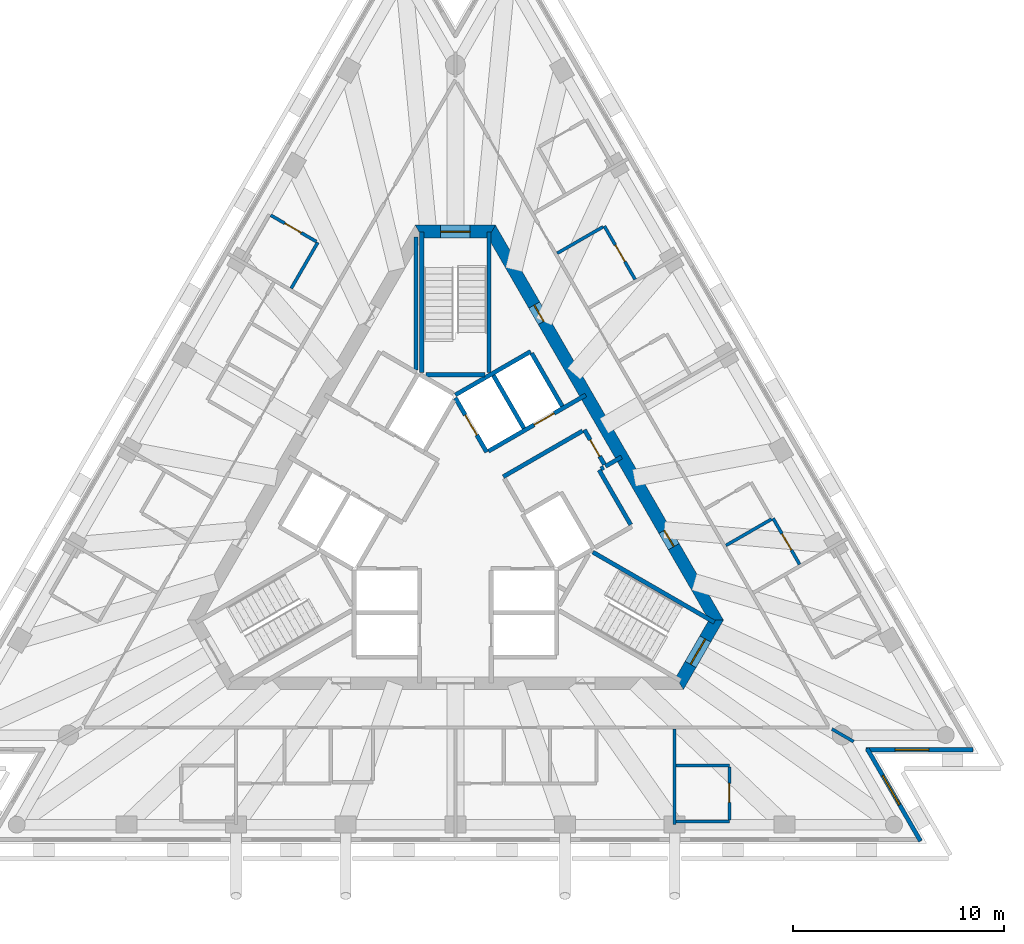
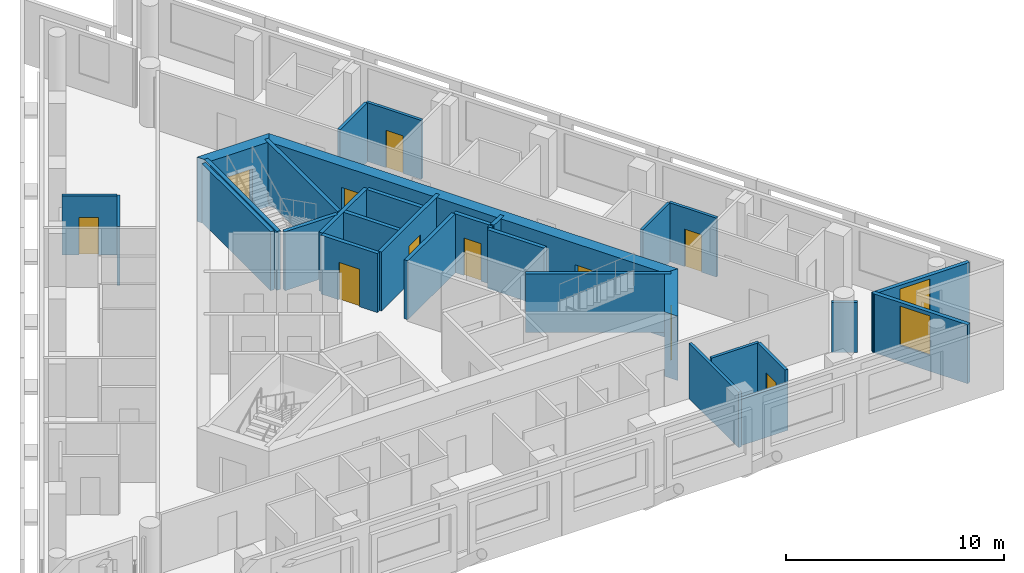
# One storey, part 6 of 10: 31 walls, 11 doors, 2 windows, 13 openings.
"""IFC4 building model written with IfcOpenShell, lengths in metres."""

from ifc_helpers import new_model, si_unit, direction, frame, frame_2d, origin, place, context, subcontext, project, spatial, polyline, rectangle, outline, extrude, material, layer, layer_set, layer_usage, type_object, element, fill, save


model = new_model("IFC4")

# Units and contexts
model_context = context("Model", 3, precision=1e-05, world=origin(), true_north=direction((0.0, 1.0)))
body_context = subcontext(model_context, "Body", "Model", "MODEL_VIEW")
ifc_project = project(units=[si_unit("LENGTHUNIT", "METRE"), si_unit("AREAUNIT", "SQUARE_METRE"), si_unit("VOLUMEUNIT", "CUBIC_METRE"), si_unit("PLANEANGLEUNIT", "RADIAN"), si_unit("MASSUNIT", "GRAM", prefix="KILO")], contexts=[model_context])

# Site, building, storey
site_placement = place(None, origin())
site = spatial("IfcSite", under=ifc_project, at=site_placement, CompositionType="ELEMENT")
building_placement = place(site_placement, origin())
building = spatial("IfcBuilding", under=site, at=building_placement, Name="Triada Interchange Tower", CompositionType="ELEMENT")
storey_placement = place(building_placement, frame((0.0, 0.0, 318.699951171875)))
storey = spatial("IfcBuildingStorey", under=building, at=storey_placement, Name="L76", CompositionType="ELEMENT", Elevation=318.699951171875)

# Wall
ifc_material_1 = material(Name="Concrete C30/37", Category="concrete")
ifc_layer_1 = layer(ifc_material_1, 0.199951171875)
ifc_layer_set_1 = layer_set([ifc_layer_1], Name="CORE WALL 200 EI 120")
wall_type_1 = type_object("IfcWallType", Name="CORE WALL 200 EI 120", PredefinedType="SOLIDWALL", material=ifc_layer_set_1)
wall_1_placement = place(storey_placement, frame((-0.001953125, 5.541015625, 0.0), z_axis=(0.0, 0.0, 1.0), x_axis=(0.86600155993, 0.500041296494, 0.0)))
element("IfcWall", 1, at=wall_1_placement, inside=storey, type_object=wall_type_1, Name="Wall L74 74", PredefinedType="SOLIDWALL", context=body_context, shape_type="SweptSolid", body=[
    extrude(rectangle(XDim=4.131591796875, YDim=0.199951171875, at=frame_2d((2.06591796875, 0.0))), origin(), (0.0, 0.0, 1.0), 3.300048828125),
])

# Wall, opening, door
wall_2_placement = place(storey_placement, frame((0.0, 5.39990234375, 0.0), z_axis=(0.0, 0.0, 1.0), x_axis=(0.500103862429, -0.865965430478, 0.0)))
wall_2 = element("IfcWall", 2, at=wall_2_placement, inside=storey, type_object=wall_type_1, Name="Wall L74 75", PredefinedType="SOLIDWALL", context=body_context, shape_type="SweptSolid", body=[
    extrude(rectangle(XDim=2.973388671875, YDim=0.199951171875, at=frame_2d((1.48681640625, 0.0))), origin(), (0.0, 0.0, 1.0), 3.300048828125),
])
opening_1_placement = place(wall_2_placement, frame((0.93701171875, 0.0, 0.0)))
opening_1 = element("IfcOpeningElement", 3, at=opening_1_placement, cuts=wall_2, Name="Opening LD-HR5", PredefinedType="OPENING", context=body_context, shape_type="SweptSolid", body=[
    extrude(rectangle(XDim=1.10009765625, YDim=2.10009765625, at=frame_2d((0.550048828125, 1.050048828125))), frame((0.0, 0.10986328125, 0.0), z_axis=(0.0, -1.0, 0.0), x_axis=(1.0, 0.0, 0.0)), (0.0, 0.0, 1.0), 0.219970703125),
])
ifc_material_2 = material(Name="Steel S235 door leaf", Category="steel")
door_type_1 = type_object("IfcDoorType", Name="LIFT LANDING DOOR 1100 EI 120", OperationType="SLIDING_TO_LEFT", PredefinedType="DOOR", material=ifc_material_2)
door_1_placement = place(opening_1_placement, origin())
door_1 = element("IfcDoor", 4, at=door_1_placement, inside=storey, type_object=door_type_1, Name="HR5 landing door L76", OperationType="SLIDING_TO_LEFT", OverallHeight=2.10009765625, OverallWidth=1.10009765625, PredefinedType="DOOR", context=body_context, shape_type="SweptSolid", body=[
    extrude(rectangle(XDim=1.10009765625, YDim=2.10009765625, at=frame_2d((0.550048828125, 1.050048828125))), frame((0.0, 0.02490234375, 0.0), z_axis=(0.0, -1.0, 0.0), x_axis=(1.0, 0.0, 0.0)), (0.0, 0.0, 1.0), 0.050048828125),
])
fill(opening_1, door_1)

wall_3_placement = place(storey_placement, frame((1.577880859375, 2.8740234375, 0.0), z_axis=(0.0, 0.0, 1.0), x_axis=(0.866045911672, 0.499964477614, 0.0)))
wall_3 = element("IfcWall", 5, at=wall_3_placement, inside=storey, type_object=wall_type_1, Name="Wall L74 77", PredefinedType="SOLIDWALL", context=body_context, shape_type="SweptSolid", body=[
    extrude(rectangle(XDim=5.32666015625, YDim=0.199951171875, at=frame_2d((2.663330078125, 0.0))), origin(), (0.0, 0.0, 1.0), 3.300048828125),
])
opening_2_placement = place(wall_3_placement, frame((2.49609375, 0.0, 0.0)))
opening_2 = element("IfcOpeningElement", 6, at=opening_2_placement, cuts=wall_3, Name="Opening LD-HR6", PredefinedType="OPENING", context=body_context, shape_type="SweptSolid", body=[
    extrude(rectangle(XDim=1.10009765625, YDim=2.10009765625, at=frame_2d((0.550048828125, 1.050048828125))), frame((0.0, 0.10986328125, 0.0), z_axis=(0.0, -1.0, 0.0), x_axis=(1.0, 0.0, 0.0)), (0.0, 0.0, 1.0), 0.219970703125),
])
door_2_placement = place(opening_2_placement, origin())
door_2 = element("IfcDoor", 7, at=door_2_placement, inside=storey, type_object=door_type_1, Name="HR6 landing door L76", OperationType="SLIDING_TO_LEFT", OverallHeight=2.10009765625, OverallWidth=1.10009765625, PredefinedType="DOOR", context=body_context, shape_type="SweptSolid", body=[
    extrude(rectangle(XDim=1.10009765625, YDim=2.10009765625, at=frame_2d((0.550048828125, 1.050048828125))), frame((0.0, 0.02490234375, 0.0), z_axis=(0.0, -1.0, 0.0), x_axis=(1.0, 0.0, 0.0)), (0.0, 0.0, 1.0), 0.050048828125),
])
fill(opening_2, door_2)

# Walls
for number, where, z_axis, x_axis, name in (
    (8, (3.6259765625, 7.52001953125, 0.0), (0.0, 0.0, 1.0), (0.500060147554, -0.865990674793, 0.0), "Wall L74 80"),
    (9, (1.806884765625, 6.469970703125, 0.0), (0.0, 0.0, 1.0), (0.50012328804, -0.865954211699, 0.0), "Wall L74 81"),
):
    element("IfcWall", number, at=place(storey_placement, frame(where, z_axis=z_axis, x_axis=x_axis)), inside=storey, type_object=wall_type_1, Name=name, PredefinedType="SOLIDWALL", context=body_context, shape_type="SweptSolid", body=[
        extrude(rectangle(XDim=2.899658203125, YDim=0.199951171875, at=frame_2d((1.44970703125, 0.0))), origin(), (0.0, 0.0, 1.0), 3.300048828125),
    ])
wall_4_placement = place(storey_placement, frame((7.12890625, 2.153076171875, 0.0), z_axis=(0.0, 0.0, 1.0), x_axis=(0.866083962871, 0.499898558967, 0.0)))
element("IfcWall", 10, at=wall_4_placement, inside=storey, type_object=wall_type_1, Name="Wall L74 84", PredefinedType="SOLIDWALL", context=body_context, shape_type="SweptSolid", body=[
    extrude(rectangle(XDim=0.880126953125, YDim=0.199951171875, at=frame_2d((0.43994140625, 0.0))), origin(), (0.0, 0.0, 1.0), 3.300048828125),
])

# Wall, opening, door
wall_5_placement = place(storey_placement, frame((6.12890625, 3.885009765625, 0.0), z_axis=(0.0, 0.0, 1.0), x_axis=(0.499952260202, -0.866052964615, 0.0)))
wall_5 = element("IfcWall", 11, at=wall_5_placement, inside=storey, type_object=wall_type_1, Name="Wall L74 85", PredefinedType="SOLIDWALL", context=body_context, shape_type="SweptSolid", body=[
    extrude(rectangle(XDim=1.900634765625, YDim=0.199951171875, at=frame_2d((0.9501953125, 0.0))), origin(), (0.0, 0.0, 1.0), 3.300048828125),
])
opening_3_placement = place(wall_5_placement, frame((0.550048828125, 0.0, 0.0)))
opening_3 = element("IfcOpeningElement", 12, at=opening_3_placement, cuts=wall_5, Name="Opening D74-56", PredefinedType="OPENING", context=body_context, shape_type="SweptSolid", body=[
    extrude(rectangle(XDim=0.89990234375, YDim=2.10009765625, at=frame_2d((0.449951171875, 1.050048828125))), frame((0.0, 0.10986328125, 0.0), z_axis=(0.0, -1.0, 0.0), x_axis=(1.0, 0.0, 0.0)), (0.0, 0.0, 1.0), 0.219970703125),
])
door_type_2 = type_object("IfcDoorType", Name="SERVICE DOOR 900 EI2 45-C5S200", OperationType="NOTDEFINED", PredefinedType="DOOR", material=ifc_material_2)
door_3_placement = place(opening_3_placement, origin())
door_3 = element("IfcDoor", 13, at=door_3_placement, inside=storey, type_object=door_type_2, Name="Door D74-56 L76", OperationType="SINGLE_SWING_LEFT", OverallHeight=2.10009765625, OverallWidth=0.89990234375, PredefinedType="DOOR", context=body_context, shape_type="SweptSolid", body=[
    extrude(rectangle(XDim=0.89990234375, YDim=2.10009765625, at=frame_2d((0.449951171875, 1.050048828125))), frame((0.0, 0.02490234375, 0.0), z_axis=(0.0, -1.0, 0.0), x_axis=(1.0, 0.0, 0.0)), (0.0, 0.0, 1.0), 0.050048828125),
])
fill(opening_3, door_3)

# Walls
wall_6_placement = place(storey_placement, frame((2.27490234375, 1.659912109375, 0.0), z_axis=(0.0, 0.0, 1.0), x_axis=(0.866013608182, 0.500020430026, 0.0)))
element("IfcWall", 14, at=wall_6_placement, inside=storey, type_object=wall_type_1, Name="Wall L74 86", PredefinedType="SOLIDWALL", context=body_context, shape_type="SweptSolid", body=[
    extrude(rectangle(XDim=4.349853515625, YDim=0.199951171875, at=frame_2d((2.1748046875, 0.0))), origin(), (0.0, 0.0, 1.0), 3.300048828125),
])
ifc_layer_2 = layer(ifc_material_1, 0.199951171875)
ifc_layer_set_2 = layer_set([ifc_layer_2], Name="CORE WALL 200 EI 90")
wall_type_2 = type_object("IfcWallType", Name="CORE WALL 200 EI 90", PredefinedType="SOLIDWALL", material=ifc_layer_set_2)
wall_7_placement = place(storey_placement, frame((-1.862060546875, 6.73291015625, 0.0), z_axis=(0.0, 0.0, 1.0), x_axis=(0.0, 1.0, 0.0)))
element("IfcWall", 15, at=wall_7_placement, inside=storey, type_object=wall_type_2, Name="Wall L74 105", PredefinedType="SOLIDWALL", context=body_context, shape_type="SweptSolid", body=[
    extrude(rectangle(XDim=6.301025390625, YDim=0.199951171875, at=frame_2d((3.150390625, 0.0))), origin(), (0.0, 0.0, 1.0), 3.300048828125),
])
wall_8_placement = place(storey_placement, frame((6.825927734375, 1.97802734375, 0.0), z_axis=(0.0, 0.0, 1.0), x_axis=(0.499990139034, -0.866031096941, 0.0)))
element("IfcWall", 16, at=wall_8_placement, inside=storey, type_object=wall_type_2, Name="Wall L74 108", PredefinedType="SOLIDWALL", context=body_context, shape_type="SweptSolid", body=[
    extrude(rectangle(XDim=3.0, YDim=0.199951171875, at=frame_2d((1.5, 0.0))), origin(), (0.0, 0.0, 1.0), 3.300048828125),
])
wall_9_placement = place(storey_placement, frame((6.912109375, 2.028076171875, 0.0), z_axis=(0.0, 0.0, 1.0), x_axis=(0.866559367082, 0.499074005857, 0.0)))
element("IfcWall", 17, at=wall_9_placement, inside=storey, type_object=wall_type_2, Name="Wall L74 109", PredefinedType="SOLIDWALL", context=body_context, shape_type="SweptSolid", body=[
    extrude(rectangle(XDim=0.152099609375, YDim=0.199951171875, at=frame_2d((0.076171875, 0.0))), origin(), (0.0, 0.0, 1.0), 3.300048828125),
])
ifc_layer_3 = layer(ifc_material_1, 0.199951171875)
ifc_layer_set_3 = layer_set([ifc_layer_3], Name="CORE WALL 200 REI 240")
wall_type_3 = type_object("IfcWallType", Name="CORE WALL 200 REI 240", PredefinedType="SOLIDWALL", material=ifc_layer_set_3)
wall_10_placement = place(storey_placement, frame((1.60009765625, 6.614990234375, 0.0), z_axis=(0.0, 0.0, 1.0), x_axis=(0.0, 1.0, 0.0)))
element("IfcWall", 18, at=wall_10_placement, inside=storey, type_object=wall_type_3, Name="Wall L74 113", PredefinedType="SOLIDWALL", context=body_context, shape_type="SweptSolid", body=[
    extrude(rectangle(XDim=6.6650390625, YDim=0.199951171875, at=frame_2d((3.33251953125, 0.0))), origin(), (0.0, 0.0, 1.0), 3.300048828125),
])
wall_11_placement = place(storey_placement, frame((-1.39990234375, 6.5, 0.0), z_axis=(0.0, 0.0, 1.0), x_axis=(1.0, 0.0, 0.0)))
element("IfcWall", 19, at=wall_11_placement, inside=storey, type_object=wall_type_3, Name="Wall L74 114", PredefinedType="SOLIDWALL", context=body_context, shape_type="SweptSolid", body=[
    extrude(rectangle(XDim=2.7998046875, YDim=0.199951171875, at=frame_2d((1.39990234375, 0.0))), origin(), (0.0, 0.0, 1.0), 3.300048828125),
])
wall_12_placement = place(storey_placement, frame((-1.60009765625, 6.614990234375, 0.0), z_axis=(0.0, 0.0, 1.0), x_axis=(0.0, 1.0, 0.0)))
element("IfcWall", 20, at=wall_12_placement, inside=storey, type_object=wall_type_3, Name="Wall L74 115", PredefinedType="SOLIDWALL", context=body_context, shape_type="SweptSolid", body=[
    extrude(rectangle(XDim=6.6650390625, YDim=0.199951171875, at=frame_2d((3.33251953125, 0.0))), origin(), (0.0, 0.0, 1.0), 3.300048828125),
])
wall_13_placement = place(storey_placement, frame((6.529052734375, -1.922119140625, 0.0), z_axis=(0.0, 0.0, 1.0), x_axis=(0.866068467981, -0.499925403204, 0.0)))
element("IfcWall", 21, at=wall_13_placement, inside=storey, type_object=wall_type_3, Name="Wall L74 117", PredefinedType="SOLIDWALL", context=body_context, shape_type="SweptSolid", body=[
    extrude(rectangle(XDim=6.66455078125, YDim=0.199951171875, at=frame_2d((3.332275390625, 0.0))), origin(), (0.0, 0.0, 1.0), 3.300048828125),
])

# Wall, opening, door
ifc_material_3 = material(Name="Concrete C40/50", Category="concrete")
ifc_layer_4 = layer(ifc_material_3, 0.60009765625)
ifc_layer_set_4 = layer_set([ifc_layer_4], Name="Core wall D 600")
wall_type_4 = type_object("IfcWallType", Name="Core wall D 600", PredefinedType="SHEAR", material=ifc_layer_set_4)
wall_14_placement = place(storey_placement, frame((1.73193359375, 13.300048828125, -0.300048828125), z_axis=(0.0, 0.0, 1.0), x_axis=(-1.0, 0.0, 0.0)))
wall_14 = element("IfcWall", 22, at=wall_14_placement, inside=storey, type_object=wall_type_4, Name="Core wall WD01 L76", PredefinedType="SHEAR", context=body_context, shape_type="SweptSolid", body=[
    extrude(outline(polyline([(-0.173095703125, -0.300048828125), (1.73193359375, -0.300048828125), (3.636962890625, -0.300048828125), (3.291015625, 0.300048828125), (1.73193359375, 0.300048828125), (0.173095703125, 0.300048828125), (-0.173095703125, -0.300048828125)])), origin(), (0.0, 0.0, 1.0), 3.60009765625),
])
opening_4_placement = place(wall_14_placement, frame((1.031982421875, 0.0, 0.300048828125)))
opening_4 = element("IfcOpeningElement", 23, at=opening_4_placement, cuts=wall_14, Name="Opening D74-46", PredefinedType="OPENING", context=body_context, shape_type="SweptSolid", body=[
    extrude(rectangle(XDim=1.39990234375, YDim=2.10009765625, at=frame_2d((0.699951171875, 1.050048828125))), frame((0.0, 0.31005859375, 0.0), z_axis=(0.0, -1.0, 0.0), x_axis=(1.0, 0.0, 0.0)), (0.0, 0.0, 1.0), 0.6201171875),
])
door_type_3 = type_object("IfcDoorType", Name="STAIR DOOR 1400 EI2 90-C5S200", OperationType="DOUBLE_DOOR_SINGLE_SWING", PredefinedType="DOOR", material=ifc_material_2)
door_4_placement = place(opening_4_placement, origin())
door_4 = element("IfcDoor", 24, at=door_4_placement, inside=storey, type_object=door_type_3, Name="Door D74-46 L76", OperationType="DOUBLE_DOOR_SINGLE_SWING", OverallHeight=2.10009765625, OverallWidth=1.39990234375, PredefinedType="DOOR", context=body_context, shape_type="SweptSolid", body=[
    extrude(rectangle(XDim=1.39990234375, YDim=2.10009765625, at=frame_2d((0.699951171875, 1.050048828125))), frame((0.0, 0.02490234375, 0.0), z_axis=(0.0, -1.0, 0.0), x_axis=(1.0, 0.0, 0.0)), (0.0, 0.0, 1.0), 0.050048828125),
])
fill(opening_4, door_4)

wall_15_placement = place(storey_placement, frame((10.652099609375, -8.14990234375, -0.300048828125), z_axis=(0.0, 0.0, 1.0), x_axis=(0.49997462182, 0.866040055388, 0.0)))
wall_15 = element("IfcWall", 25, at=wall_15_placement, inside=storey, type_object=wall_type_4, Name="Core wall WD05 L76", PredefinedType="SHEAR", context=body_context, shape_type="SweptSolid", body=[
    extrude(outline(polyline([(-0.173095703125, -0.300048828125), (1.732421875, -0.300537109375), (3.637939453125, -0.301025390625), (3.291015625, 0.300048828125), (1.73193359375, 0.300048828125), (0.173095703125, 0.300048828125), (-0.173095703125, -0.300048828125)])), origin(), (0.0, 0.0, 1.0), 3.60009765625),
])
opening_5_placement = place(wall_15_placement, frame((1.031982421875, 0.0, 0.300048828125)))
opening_5 = element("IfcOpeningElement", 26, at=opening_5_placement, cuts=wall_15, Name="Opening D74-48", PredefinedType="OPENING", context=body_context, shape_type="SweptSolid", body=[
    extrude(rectangle(XDim=1.39990234375, YDim=2.10009765625, at=frame_2d((0.699951171875, 1.050048828125))), frame((0.0, 0.31005859375, 0.0), z_axis=(0.0, -1.0, 0.0), x_axis=(1.0, 0.0, 0.0)), (0.0, 0.0, 1.0), 0.62109375),
])
door_5_placement = place(opening_5_placement, origin())
door_5 = element("IfcDoor", 27, at=door_5_placement, inside=storey, type_object=door_type_3, Name="Door D74-48 L76", OperationType="DOUBLE_DOOR_SINGLE_SWING", OverallHeight=2.10009765625, OverallWidth=1.39990234375, PredefinedType="DOOR", context=body_context, shape_type="SweptSolid", body=[
    extrude(rectangle(XDim=1.39990234375, YDim=2.10009765625, at=frame_2d((0.699951171875, 1.050048828125))), frame((0.0, 0.02490234375, 0.0), z_axis=(0.0, -1.0, 0.0), x_axis=(1.0, 0.0, 0.0)), (0.0, 0.0, 1.0), 0.050048828125),
])
fill(opening_5, door_5)

# Wall, openings, doors
wall_16_placement = place(storey_placement, frame((12.384033203125, -5.14990234375, -0.300048828125), z_axis=(0.0, 0.0, 1.0), x_axis=(-0.500000539815, 0.866025092122, 0.0)))
wall_16 = element("IfcWall", 28, at=wall_16_placement, inside=storey, type_object=wall_type_4, Name="Core wall WD06 L76", PredefinedType="SHEAR", context=body_context, shape_type="SweptSolid", body=[
    extrude(outline(polyline([(-0.173095703125, -0.301025390625), (1.795166015625, -0.301025390625), (3.76318359375, -0.30078125), (5.7314453125, -0.30078125), (7.69970703125, -0.30078125), (9.66796875, -0.300537109375), (11.635986328125, -0.300537109375), (13.604248046875, -0.30029296875), (15.572509765625, -0.30029296875), (17.540771484375, -0.30029296875), (19.5087890625, -0.300048828125), (21.47705078125, -0.300048828125), (21.131103515625, 0.300048828125), (19.225830078125, 0.300048828125), (17.320556640625, 0.300048828125), (15.415283203125, 0.300048828125), (13.510009765625, 0.300048828125), (11.604736328125, 0.300048828125), (9.699462890625, 0.300048828125), (7.794189453125, 0.300048828125), (5.888916015625, 0.300048828125), (3.983642578125, 0.300048828125), (2.078369140625, 0.300048828125), (0.173095703125, 0.300048828125), (-0.173095703125, -0.301025390625)])), origin(), (0.0, 0.0, 1.0), 3.60009765625),
])
opening_6_placement = place(wall_16_placement, frame((16.3779296875, 0.0, 0.300048828125)))
opening_6 = element("IfcOpeningElement", 29, at=opening_6_placement, cuts=wall_16, Name="Opening D74-53", PredefinedType="OPENING", context=body_context, shape_type="SweptSolid", body=[
    extrude(rectangle(XDim=0.89990234375, YDim=2.10009765625, at=frame_2d((0.449951171875, 1.050048828125))), frame((0.0, 0.31005859375, 0.0), z_axis=(0.0, -1.0, 0.0), x_axis=(1.0, 0.0, 0.0)), (0.0, 0.0, 1.0), 0.62109375),
])
opening_7_placement = place(wall_16_placement, frame((4.02587890625, 0.0, 0.300048828125)))
opening_7 = element("IfcOpeningElement", 30, at=opening_7_placement, cuts=wall_16, Name="Opening D74-55", PredefinedType="OPENING", context=body_context, shape_type="SweptSolid", body=[
    extrude(rectangle(XDim=0.89990234375, YDim=2.10009765625, at=frame_2d((0.449951171875, 1.050048828125))), frame((0.0, 0.31005859375, 0.0), z_axis=(0.0, -1.0, 0.0), x_axis=(1.0, 0.0, 0.0)), (0.0, 0.0, 1.0), 0.62109375),
])
door_6_placement = place(opening_6_placement, origin())
door_6 = element("IfcDoor", 31, at=door_6_placement, inside=storey, type_object=door_type_2, Name="Door D74-53 L76", OperationType="SINGLE_SWING_RIGHT", OverallHeight=2.10009765625, OverallWidth=0.89990234375, PredefinedType="DOOR", context=body_context, shape_type="SweptSolid", body=[
    extrude(rectangle(XDim=0.89990234375, YDim=2.10009765625, at=frame_2d((0.449951171875, 1.050048828125))), frame((0.0, 0.02490234375, 0.0), z_axis=(0.0, -1.0, 0.0), x_axis=(1.0, 0.0, 0.0)), (0.0, 0.0, 1.0), 0.050048828125),
])
fill(opening_6, door_6)
door_7_placement = place(opening_7_placement, origin())
door_7 = element("IfcDoor", 32, at=door_7_placement, inside=storey, type_object=door_type_2, Name="Door D74-55 L76", OperationType="SINGLE_SWING_RIGHT", OverallHeight=2.10009765625, OverallWidth=0.89990234375, PredefinedType="DOOR", context=body_context, shape_type="SweptSolid", body=[
    extrude(rectangle(XDim=0.89990234375, YDim=2.10009765625, at=frame_2d((0.449951171875, 1.050048828125))), frame((0.0, 0.02490234375, 0.0), z_axis=(0.0, -1.0, 0.0), x_axis=(1.0, 0.0, 0.0)), (0.0, 0.0, 1.0), 0.050048828125),
])
fill(opening_7, door_7)

# Wall, opening, window
ifc_material_4 = material(Name="Cement board")
ifc_layer_5 = layer(ifc_material_4, 0.02001953125, Name="Cement board cladding")
ifc_material_5 = material(Name="Sheathing board")
ifc_layer_6 = layer(ifc_material_5, 0.014892578125, Name="Sheathing board")
ifc_material_6 = material(Name="Mineral wool")
ifc_layer_7 = layer(ifc_material_6, 0.14990234375, Name="Mineral wool between steel studs")
ifc_material_7 = material(Name="Gypsum board")
ifc_layer_8 = layer(ifc_material_7, 0.014892578125, Name="Plasterboard lining")
ifc_layer_set_5 = layer_set([ifc_layer_5, ifc_layer_6, ifc_layer_7, ifc_layer_8], Name="External wall 200")
ifc_layer_usage = layer_usage(ifc_layer_set_5, "AXIS2", "POSITIVE", -0.10009765625)
wall_type_5 = type_object("IfcWallType", Name="External wall 200", PredefinedType="ELEMENTEDWALL", material=ifc_layer_set_5)
wall_17_placement = place(storey_placement, frame((22.0869140625, -15.64111328125, 0.0), z_axis=(0.0, 0.0, 1.0), x_axis=(-0.499911250765, 0.866076637116, 0.0)))
wall_17 = element("IfcWall", 33, at=wall_17_placement, inside=storey, type_object=wall_type_5, material=ifc_layer_usage, Name="External wall L76 SE-1", PredefinedType="ELEMENTEDWALL", context=body_context, shape_type="SweptSolid", body=[
    extrude(rectangle(XDim=5.07470703125, YDim=0.199951171875, at=frame_2d((2.537353515625, 0.0))), origin(), (0.0, 0.0, 1.0), 3.300048828125),
])
opening_8_placement = place(wall_17_placement, frame((1.989990234375, 0.0, 0.89990234375)))
opening_8 = element("IfcOpeningElement", 34, at=opening_8_placement, cuts=wall_17, Name="Opening WD19", PredefinedType="OPENING", context=body_context, shape_type="SweptSolid", body=[
    extrude(rectangle(XDim=1.60009765625, YDim=2.199951171875, at=frame_2d((0.800048828125, 1.10009765625))), frame((0.0, 0.10986328125, 0.0), z_axis=(0.0, -1.0, 0.0), x_axis=(1.0, 0.0, 0.0)), (0.0, 0.0, 1.0), 0.219970703125),
])
ifc_material_8 = material(Name="Double glazed aluminium window", Category="aluminium")
window_type = type_object("IfcWindowType", Name="Ribbon window D pocket", PartitioningType="SINGLE_PANEL", PredefinedType="WINDOW", material=ifc_material_8)
window_1_placement = place(opening_8_placement, origin())
window_1 = element("IfcWindow", 35, at=window_1_placement, inside=storey, type_object=window_type, Name="Window L76 SE-1 1", OverallHeight=2.199951171875, OverallWidth=1.60009765625, PartitioningType="SINGLE_PANEL", PredefinedType="WINDOW", context=body_context, shape_type="SweptSolid", body=[
    extrude(rectangle(XDim=1.60009765625, YDim=2.199951171875, at=frame_2d((0.800048828125, 1.10009765625))), frame((0.0, 0.030029296875, 0.0), z_axis=(0.0, -1.0, 0.0), x_axis=(1.0, 0.0, 0.0)), (0.0, 0.0, 1.0), 0.06005859375),
])
fill(opening_8, window_1)

wall_18_placement = place(storey_placement, frame((19.4951171875, -11.306884765625, 0.0), z_axis=(0.0, 0.0, 1.0), x_axis=(1.0, 0.0, 0.0)))
wall_18 = element("IfcWall", 36, at=wall_18_placement, inside=storey, type_object=wall_type_5, material=ifc_layer_usage, Name="External wall L76 SE-2", PredefinedType="ELEMENTEDWALL", context=body_context, shape_type="SweptSolid", body=[
    extrude(rectangle(XDim=5.073974609375, YDim=0.199951171875, at=frame_2d((2.537109375, 0.0))), origin(), (0.0, 0.0, 1.0), 3.300048828125),
])
opening_9_placement = place(wall_18_placement, frame((1.389892578125, 0.0, 0.89990234375)))
opening_9 = element("IfcOpeningElement", 37, at=opening_9_placement, cuts=wall_18, Name="Opening WD20", PredefinedType="OPENING", context=body_context, shape_type="SweptSolid", body=[
    extrude(rectangle(XDim=1.60009765625, YDim=2.199951171875, at=frame_2d((0.800048828125, 1.10009765625))), frame((0.0, 0.10986328125, 0.0), z_axis=(0.0, -1.0, 0.0), x_axis=(1.0, 0.0, 0.0)), (0.0, 0.0, 1.0), 0.219970703125),
])
window_2_placement = place(opening_9_placement, origin())
window_2 = element("IfcWindow", 38, at=window_2_placement, inside=storey, type_object=window_type, Name="Window L76 SE-2 1", OverallHeight=2.199951171875, OverallWidth=1.60009765625, PartitioningType="SINGLE_PANEL", PredefinedType="WINDOW", context=body_context, shape_type="SweptSolid", body=[
    extrude(rectangle(XDim=1.60009765625, YDim=2.199951171875, at=frame_2d((0.800048828125, 1.10009765625))), frame((0.0, 0.030029296875, 0.0), z_axis=(0.0, -1.0, 0.0), x_axis=(1.0, 0.0, 0.0)), (0.0, 0.0, 1.0), 0.06005859375),
])
fill(opening_9, window_2)

# Walls
ifc_material_9 = material(Name="Gypsum board partition")
ifc_layer_9 = layer(ifc_material_9, 0.14990234375)
ifc_layer_set_6 = layer_set([ifc_layer_9], Name="PARTITION 150 EI 180")
wall_type_6 = type_object("IfcWallType", Name="PARTITION 150 EI 180", PredefinedType="PARTITIONING", material=ifc_layer_set_6)
wall_19_placement = place(storey_placement, frame((10.4140625, -14.85791015625, 0.0), z_axis=(0.0, 0.0, 1.0), x_axis=(0.0, 1.0, 0.0)))
element("IfcWall", 39, at=wall_19_placement, inside=storey, type_object=wall_type_6, Name="Wall L74 28", PredefinedType="PARTITIONING", context=body_context, shape_type="SweptSolid", body=[
    extrude(rectangle(XDim=4.532958984375, YDim=0.14990234375, at=frame_2d((2.2666015625, 0.0))), origin(), (0.0, 0.0, 1.0), 3.10009765625),
])
wall_20_placement = place(storey_placement, frame((17.883056640625, -10.323974609375, 0.0), z_axis=(0.0, 0.0, 1.0), x_axis=(0.865759938798, -0.500459517216, 0.0)))
element("IfcWall", 40, at=wall_20_placement, inside=storey, type_object=wall_type_6, Name="Wall L74 30", PredefinedType="PARTITIONING", context=body_context, shape_type="SweptSolid", body=[
    extrude(rectangle(XDim=1.18505859375, YDim=0.14990234375, at=frame_2d((0.592529296875, 0.0))), origin(), (0.0, 0.0, 1.0), 2.800048828125),
])
ifc_layer_10 = layer(ifc_material_9, 0.14990234375)
ifc_layer_set_7 = layer_set([ifc_layer_10], Name="PARTITION 150 EI 90")
wall_type_7 = type_object("IfcWallType", Name="PARTITION 150 EI 90", PredefinedType="PARTITIONING", material=ifc_layer_set_7)
wall_21_placement = place(storey_placement, frame((-7.794921875, 10.60009765625, 0.0), z_axis=(0.0, 0.0, 1.0), x_axis=(0.50028887667, 0.865858556509, 0.0)))
element("IfcWall", 41, at=wall_21_placement, inside=storey, type_object=wall_type_7, Name="Wall L74 35", PredefinedType="PARTITIONING", context=body_context, shape_type="SweptSolid", body=[
    extrude(rectangle(XDim=2.5244140625, YDim=0.14990234375, at=frame_2d((1.26220703125, 0.0))), origin(), (0.0, 0.0, 1.0), 3.300048828125),
])
wall_22_placement = place(storey_placement, frame((10.489013671875, -12.050048828125, 0.0), z_axis=(0.0, 0.0, 1.0), x_axis=(1.0, 0.0, 0.0)))
element("IfcWall", 42, at=wall_22_placement, inside=storey, type_object=wall_type_7, Name="Wall L74 40", PredefinedType="PARTITIONING", context=body_context, shape_type="SweptSolid", body=[
    extrude(rectangle(XDim=2.52490234375, YDim=0.14990234375, at=frame_2d((1.262451171875, 0.0))), origin(), (0.0, 0.0, 1.0), 3.300048828125),
])
wall_23_placement = place(storey_placement, frame((10.489013671875, -14.7060546875, 0.0), z_axis=(0.0, 0.0, 1.0), x_axis=(1.0, 0.0, 0.0)))
element("IfcWall", 43, at=wall_23_placement, inside=storey, type_object=wall_type_7, Name="Wall L74 43", PredefinedType="PARTITIONING", context=body_context, shape_type="SweptSolid", body=[
    extrude(rectangle(XDim=2.52490234375, YDim=0.14990234375, at=frame_2d((1.262451171875, 0.0))), origin(), (0.0, 0.0, 1.0), 2.60009765625),
])

# Wall, opening, door
wall_24_placement = place(storey_placement, frame((-8.76806640625, 14.076904296875, 0.0), z_axis=(0.0, 0.0, 1.0), x_axis=(0.866125586781, -0.4998264378, 0.0)))
wall_24 = element("IfcWall", 44, at=wall_24_placement, inside=storey, type_object=wall_type_7, Name="Wall L74 46", PredefinedType="PARTITIONING", context=body_context, shape_type="SweptSolid", body=[
    extrude(rectangle(XDim=2.5068359375, YDim=0.14990234375, at=frame_2d((1.25341796875, 0.0))), origin(), (0.0, 0.0, 1.0), 3.300048828125),
])
opening_10_placement = place(wall_24_placement, frame((0.77490234375, 0.0, 0.0)))
opening_10 = element("IfcOpeningElement", 45, at=opening_10_placement, cuts=wall_24, Name="Opening D74-36", PredefinedType="OPENING", context=body_context, shape_type="SweptSolid", body=[
    extrude(rectangle(XDim=0.89990234375, YDim=2.10009765625, at=frame_2d((0.449951171875, 1.050048828125))), frame((0.0, 0.0849609375, 0.0), z_axis=(0.0, -1.0, 0.0), x_axis=(1.0, 0.0, 0.0)), (0.0, 0.0, 1.0), 0.169921875),
])
door_type_4 = type_object("IfcDoorType", Name="ROOM DOOR 900 EI2 45-C5S200", OperationType="NOTDEFINED", PredefinedType="DOOR", material=ifc_material_2)
door_8_placement = place(opening_10_placement, origin())
door_8 = element("IfcDoor", 46, at=door_8_placement, inside=storey, type_object=door_type_4, Name="Door D74-36 L76", OperationType="SINGLE_SWING_RIGHT", OverallHeight=2.10009765625, OverallWidth=0.89990234375, PredefinedType="DOOR", context=body_context, shape_type="SweptSolid", body=[
    extrude(rectangle(XDim=0.89990234375, YDim=2.10009765625, at=frame_2d((0.449951171875, 1.050048828125))), frame((0.0, 0.02490234375, 0.0), z_axis=(0.0, -1.0, 0.0), x_axis=(1.0, 0.0, 0.0)), (0.0, 0.0, 1.0), 0.050048828125),
])
fill(opening_10, door_8)

wall_25_placement = place(storey_placement, frame((7.073974609375, 13.56103515625, 0.0), z_axis=(0.0, 0.0, 1.0), x_axis=(0.499874209568, -0.866098016745, 0.0)))
wall_25 = element("IfcWall", 47, at=wall_25_placement, inside=storey, type_object=wall_type_7, Name="Wall L74 47", PredefinedType="PARTITIONING", context=body_context, shape_type="SweptSolid", body=[
    extrude(rectangle(XDim=2.924560546875, YDim=0.14990234375, at=frame_2d((1.46240234375, 0.0))), origin(), (0.0, 0.0, 1.0), 3.300048828125),
])
opening_11_placement = place(wall_25_placement, frame((1.050048828125, 0.0, 0.0)))
opening_11 = element("IfcOpeningElement", 48, at=opening_11_placement, cuts=wall_25, Name="Opening D74-32", PredefinedType="OPENING", context=body_context, shape_type="SweptSolid", body=[
    extrude(rectangle(XDim=0.89990234375, YDim=2.10009765625, at=frame_2d((0.449951171875, 1.050048828125))), frame((0.0, 0.0849609375, 0.0), z_axis=(0.0, -1.0, 0.0), x_axis=(1.0, 0.0, 0.0)), (0.0, 0.0, 1.0), 0.169921875),
])
door_9_placement = place(opening_11_placement, origin())
door_9 = element("IfcDoor", 49, at=door_9_placement, inside=storey, type_object=door_type_4, Name="Door D74-32 L76", OperationType="SINGLE_SWING_LEFT", OverallHeight=2.10009765625, OverallWidth=0.89990234375, PredefinedType="DOOR", context=body_context, shape_type="SweptSolid", body=[
    extrude(rectangle(XDim=0.89990234375, YDim=2.10009765625, at=frame_2d((0.449951171875, 1.050048828125))), frame((0.0, 0.02490234375, 0.0), z_axis=(0.0, -1.0, 0.0), x_axis=(1.0, 0.0, 0.0)), (0.0, 0.0, 1.0), 0.050048828125),
])
fill(opening_11, door_9)

wall_26_placement = place(storey_placement, frame((15.0849609375, -0.31494140625, 0.0), z_axis=(0.0, 0.0, 1.0), x_axis=(0.499956887143, -0.866050293573, 0.0)))
wall_26 = element("IfcWall", 50, at=wall_26_placement, inside=storey, type_object=wall_type_7, Name="Wall L74 49", PredefinedType="PARTITIONING", context=body_context, shape_type="SweptSolid", body=[
    extrude(rectangle(XDim=2.524169921875, YDim=0.14990234375, at=frame_2d((1.26220703125, 0.0))), origin(), (0.0, 0.0, 1.0), 3.300048828125),
])
opening_12_placement = place(wall_26_placement, frame((0.84912109375, 0.0, 0.0)))
opening_12 = element("IfcOpeningElement", 51, at=opening_12_placement, cuts=wall_26, Name="Opening D74-27", PredefinedType="OPENING", context=body_context, shape_type="SweptSolid", body=[
    extrude(rectangle(XDim=0.89990234375, YDim=2.10009765625, at=frame_2d((0.449951171875, 1.050048828125))), frame((0.0, 0.0849609375, 0.0), z_axis=(0.0, -1.0, 0.0), x_axis=(1.0, 0.0, 0.0)), (0.0, 0.0, 1.0), 0.169921875),
])
door_10_placement = place(opening_12_placement, origin())
door_10 = element("IfcDoor", 52, at=door_10_placement, inside=storey, type_object=door_type_4, Name="Door D74-27 L76", OperationType="SINGLE_SWING_LEFT", OverallHeight=2.10009765625, OverallWidth=0.89990234375, PredefinedType="DOOR", context=body_context, shape_type="SweptSolid", body=[
    extrude(rectangle(XDim=0.89990234375, YDim=2.10009765625, at=frame_2d((0.449951171875, 1.050048828125))), frame((0.0, 0.02490234375, 0.0), z_axis=(0.0, -1.0, 0.0), x_axis=(1.0, 0.0, 0.0)), (0.0, 0.0, 1.0), 0.050048828125),
])
fill(opening_12, door_10)

# Wall
wall_27_placement = place(storey_placement, frame((4.837890625, 12.27001953125, 0.0), z_axis=(0.0, 0.0, 1.0), x_axis=(0.866125586781, 0.4998264378, 0.0)))
element("IfcWall", 53, at=wall_27_placement, inside=storey, type_object=wall_type_7, Name="Wall L74 50", PredefinedType="PARTITIONING", context=body_context, shape_type="SweptSolid", body=[
    extrude(rectangle(XDim=2.5068359375, YDim=0.14990234375, at=frame_2d((1.25341796875, 0.0))), origin(), (0.0, 0.0, 1.0), 3.300048828125),
])

# Wall, opening, door
wall_28_placement = place(storey_placement, frame((13.013916015625, -14.632080078125, 0.0), z_axis=(0.0, 0.0, 1.0), x_axis=(0.0, 1.0, 0.0)))
wall_28 = element("IfcWall", 54, at=wall_28_placement, inside=storey, type_object=wall_type_7, Name="Wall L74 52", PredefinedType="PARTITIONING", context=body_context, shape_type="SweptSolid", body=[
    extrude(rectangle(XDim=2.507080078125, YDim=0.14990234375, at=frame_2d((1.25341796875, 0.0))), origin(), (0.0, 0.0, 1.0), 3.300048828125),
])
opening_13_placement = place(wall_28_placement, frame((0.83203125, 0.0, 0.0)))
opening_13 = element("IfcOpeningElement", 55, at=opening_13_placement, cuts=wall_28, Name="Opening D74-22", PredefinedType="OPENING", context=body_context, shape_type="SweptSolid", body=[
    extrude(rectangle(XDim=0.89990234375, YDim=2.10009765625, at=frame_2d((0.449951171875, 1.050048828125))), frame((0.0, 0.0849609375, 0.0), z_axis=(0.0, -1.0, 0.0), x_axis=(1.0, 0.0, 0.0)), (0.0, 0.0, 1.0), 0.169921875),
])
door_11_placement = place(opening_13_placement, origin())
door_11 = element("IfcDoor", 56, at=door_11_placement, inside=storey, type_object=door_type_4, Name="Door D74-22 L76", OperationType="SINGLE_SWING_LEFT", OverallHeight=2.10009765625, OverallWidth=0.89990234375, PredefinedType="DOOR", context=body_context, shape_type="SweptSolid", body=[
    extrude(rectangle(XDim=0.89990234375, YDim=2.10009765625, at=frame_2d((0.449951171875, 1.050048828125))), frame((0.0, 0.02490234375, 0.0), z_axis=(0.0, -1.0, 0.0), x_axis=(1.0, 0.0, 0.0)), (0.0, 0.0, 1.0), 0.050048828125),
])
fill(opening_13, door_11)

# Wall
wall_29_placement = place(storey_placement, frame((12.84912109375, -1.60498046875, 0.0), z_axis=(0.0, 0.0, 1.0), x_axis=(0.866101252082, 0.499868603878, 0.0)))
element("IfcWall", 57, at=wall_29_placement, inside=storey, type_object=wall_type_7, Name="Wall L74 55", PredefinedType="PARTITIONING", context=body_context, shape_type="SweptSolid", body=[
    extrude(rectangle(XDim=2.506591796875, YDim=0.14990234375, at=frame_2d((1.25341796875, 0.0))), origin(), (0.0, 0.0, 1.0), 3.300048828125),
])

save(model, "model.ifc")
